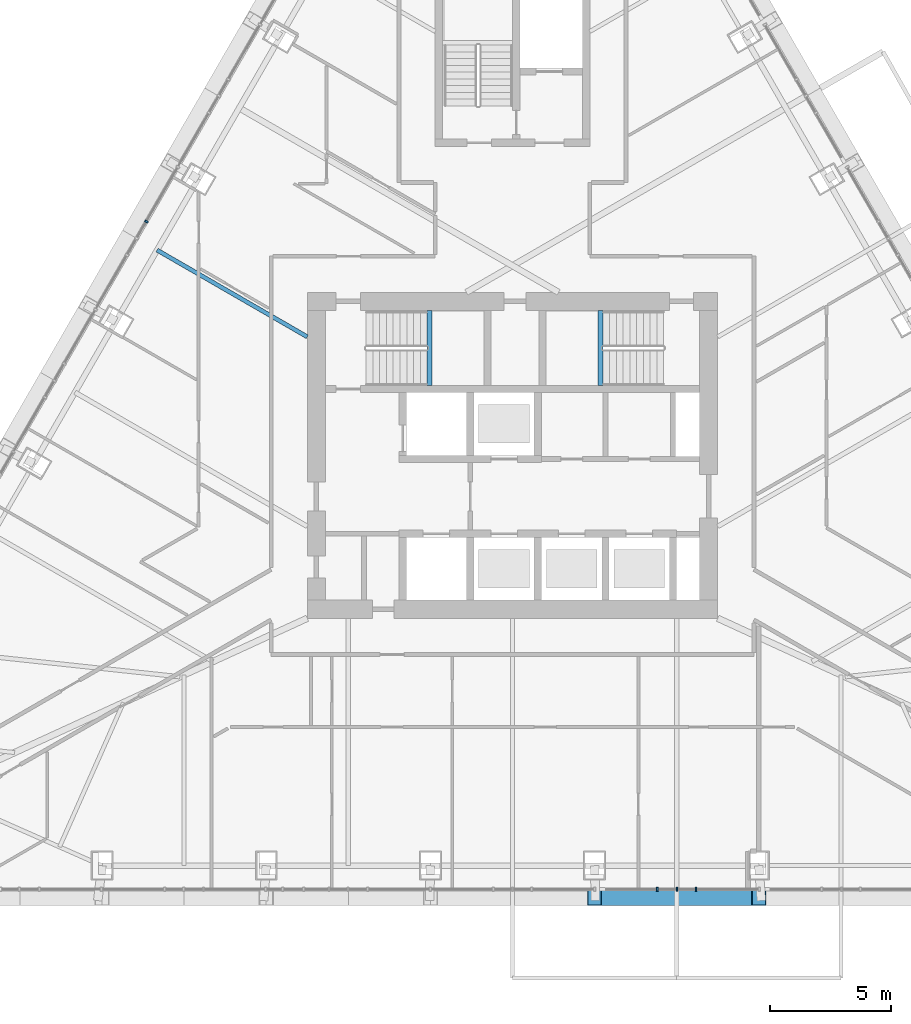
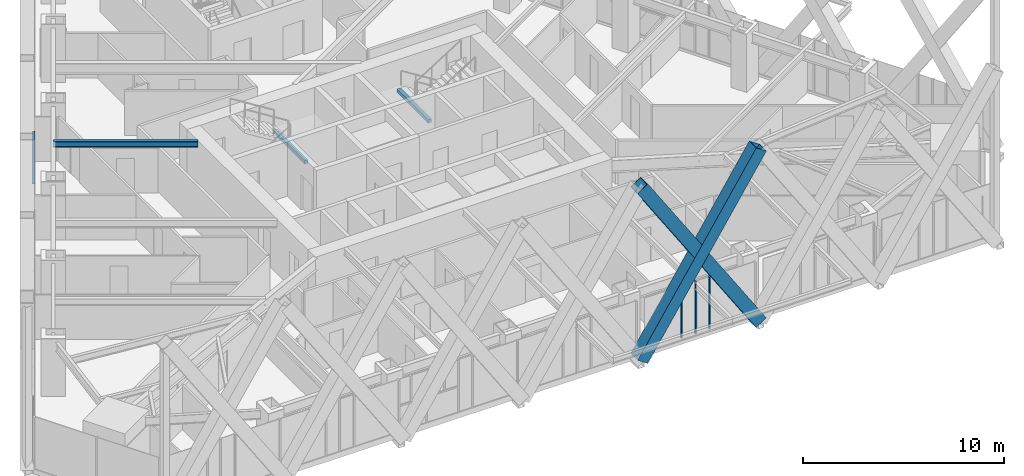
# One storey, part 7 of 24: 6 members, 3 beams, 2 elements without a shape of their own.
"""IFC4 building model written with IfcOpenShell, lengths in metres."""

from ifc_helpers import new_model, si_unit, direction, frame, origin, origin_2d, place, context, subcontext, project, spatial, rectangle, hollow_rectangle, i_section, extrude, material, layer, layer_set, material_profile, profile_set, type_object, element, aggregate, save


model = new_model("IFC4")

# Units and contexts
model_context = context("Model", 3, precision=1e-05, world=origin(), true_north=direction((0.0, 1.0)))
body_context = subcontext(model_context, "Body", "Model", "MODEL_VIEW")
ifc_project = project(units=[si_unit("LENGTHUNIT", "METRE"), si_unit("AREAUNIT", "SQUARE_METRE"), si_unit("VOLUMEUNIT", "CUBIC_METRE"), si_unit("PLANEANGLEUNIT", "RADIAN"), si_unit("MASSUNIT", "GRAM", prefix="KILO")], contexts=[model_context])

# Site, building, storey
site_placement = place(None, origin())
site = spatial("IfcSite", under=ifc_project, at=site_placement, CompositionType="ELEMENT")
building_placement = place(site_placement, origin())
building = spatial("IfcBuilding", under=site, at=building_placement, Name="Firuza Gate Tower and Library", CompositionType="ELEMENT")
storey_placement = place(building_placement, frame((0.0, 0.0, 260.10009765625)))
storey = spatial("IfcBuildingStorey", under=building, at=storey_placement, Name="L61", CompositionType="ELEMENT", Elevation=260.10009765625)

# Members
ifc_material_1 = material(Name="Steel S355", Category="steel")
ifc_material_profile_1 = material_profile(ifc_material_1, hollow_rectangle(XDim=0.699951171875, YDim=0.699951171875, WallThickness=0.030029296875, at=origin_2d()))
ifc_profile_set_1 = profile_set([ifc_material_profile_1], Name="Steel S355")
member_type_1 = type_object("IfcMemberType", Name="BU700x700x30 Lattice brace", PredefinedType="BRACE", material=ifc_profile_set_1)
for number, where, z_axis, x_axis, name in (
    (1, (78.39990234375, 56.7021484375, 0.0), (0.543585438584, 0.0, 0.839353841332), (0.0, 1.0, 0.0), "Lattice brace S 15.5R"),
    (2, (85.199951171875, 56.7021484375, 0.0), (-0.543585438584, 0.0, 0.839353841332), (0.0, -1.0, 0.0), "Lattice brace S 15.5L"),
):
    element("IfcMember", number, at=place(storey_placement, frame(where, z_axis=z_axis, x_axis=x_axis)), inside=storey, type_object=member_type_1, Name=name, PredefinedType="BRACE", context=body_context, shape_type="SweptSolid", body=[
        extrude(hollow_rectangle(XDim=0.699951171875, YDim=0.699951171875, WallThickness=0.030029296875, at=origin_2d()), origin(), (0.0, 0.0, 1.0), 12.509521484375),
    ])

# Curtain wall, members
ifc_material_2 = material(Name="Aluminium 6063-T6", Category="aluminium")
ifc_layer = layer(ifc_material_2, 0.14990234375)
ifc_layer_set = layer_set([ifc_layer], Name="Unitised curtain wall, residences")
curtain_wall_type = type_object("IfcCurtainWallType", Name="Unitised curtain wall, residences", PredefinedType="NOTDEFINED", material=ifc_layer_set)
placement = place(storey_placement, origin())
curtain_wall_1 = element("IfcCurtainWall", 3, at=placement, inside=storey, type_object=curtain_wall_type, Name="CW3 L61 S face", PredefinedType="NOTDEFINED")
ifc_material_3 = material(Name="Aluminium 6063-T6", Category="aluminium")
ifc_material_profile_2 = material_profile(ifc_material_3, rectangle(XDim=0.14990234375, YDim=0.080078125, at=origin_2d()))
ifc_profile_set_2 = profile_set([ifc_material_profile_2], Name="Aluminium 6063-T6")
member_type_2 = type_object("IfcMemberType", Name="Curtain wall mullion 80x150", PredefinedType="MULLION", material=ifc_profile_set_2)
member_1_placement = place(storey_placement, frame((81.812255859375, 57.027099609375, 0.14990234375), z_axis=(0.0, 0.0, 1.0), x_axis=(0.0, 1.0, 0.0)))
member_1 = element("IfcMember", 4, at=member_1_placement, type_object=member_type_2, Name="Mullion", PredefinedType="MULLION", context=body_context, shape_type="SweptSolid", body=[
    extrude(rectangle(XDim=0.14990234375, YDim=0.080078125, at=origin_2d()), origin(), (0.0, 0.0, 1.0), 3.14990234375),
])
member_2_placement = place(storey_placement, frame((80.9990234375, 57.027099609375, 0.14990234375), z_axis=(0.0, 0.0, 1.0), x_axis=(0.0, 1.0, 0.0)))
member_2 = element("IfcMember", 5, at=member_2_placement, type_object=member_type_2, Name="Mullion", PredefinedType="MULLION", context=body_context, shape_type="SweptSolid", body=[
    extrude(rectangle(XDim=0.14990234375, YDim=0.080078125, at=origin_2d()), origin(), (0.0, 0.0, 1.0), 3.14990234375),
])
member_3_placement = place(storey_placement, frame((82.600830078125, 57.027099609375, 0.14990234375), z_axis=(0.0, 0.0, 1.0), x_axis=(0.0, 1.0, 0.0)))
member_3 = element("IfcMember", 6, at=member_3_placement, type_object=member_type_2, Name="Mullion", PredefinedType="MULLION", context=body_context, shape_type="SweptSolid", body=[
    extrude(rectangle(XDim=0.14990234375, YDim=0.080078125, at=origin_2d()), origin(), (0.0, 0.0, 1.0), 3.14990234375),
])
aggregate(curtain_wall_1, [member_1, member_2, member_3])

# Curtain wall, member
curtain_wall_2 = element("IfcCurtainWall", 7, at=placement, inside=storey, type_object=curtain_wall_type, Name="CW3 L61 W face", PredefinedType="NOTDEFINED")
member_4_placement = place(storey_placement, frame((59.83544921875, 84.679931640625, 0.14990234375), z_axis=(0.0, 0.0, 1.0), x_axis=(0.866025403784, -0.5, 0.0)))
member_4 = element("IfcMember", 8, at=member_4_placement, type_object=member_type_2, Name="Mullion", PredefinedType="MULLION", context=body_context, shape_type="SweptSolid", body=[
    extrude(rectangle(XDim=0.14990234375, YDim=0.080078125, at=origin_2d()), origin(), (0.0, 0.0, 1.0), 3.14990234375),
])
aggregate(curtain_wall_2, [member_4])

# Beams
ifc_material_4 = material(Name="Concrete C35/45", Category="concrete")
ifc_material_profile_3 = material_profile(ifc_material_4, rectangle(XDim=0.199951171875, YDim=0.199951171875, at=origin_2d()))
ifc_profile_set_3 = profile_set([ifc_material_profile_3], Name="Concrete C35/45")
beam_type_1 = type_object("IfcBeamType", Name="Stair landing bearer 200x200", PredefinedType="BEAM", material=ifc_profile_set_3)
for number, where, z_axis, x_axis, name in (
    (9, (71.56005859375, 77.89990234375, 1.449951171875), (0.0, 1.0, 0.0), (-1.0, 0.0, 0.0), "Landing bearer L61 stair 1"),
    (10, (78.639892578125, 81.0, 1.449951171875), (0.0, -1.0, 0.0), (1.0, 0.0, 0.0), "Landing bearer L61 stair 2"),
):
    element("IfcBeam", number, at=place(storey_placement, frame(where, z_axis=z_axis, x_axis=x_axis)), inside=storey, type_object=beam_type_1, Name=name, PredefinedType="BEAM", context=body_context, shape_type="SweptSolid", body=[
        extrude(rectangle(XDim=0.199951171875, YDim=0.199951171875, at=origin_2d()), origin(), (0.0, 0.0, 1.0), 3.10009765625),
    ])
ifc_material_5 = material(Name="Steel S355", Category="steel")
ifc_material_profile_4 = material_profile(ifc_material_5, i_section(OverallWidth=0.1708984375, OverallDepth=0.35498046875, WebThickness=0.007080078125, FlangeThickness=0.01171875, at=origin_2d()))
ifc_profile_set_4 = profile_set([ifc_material_profile_4], Name="Steel S355")
beam_type_2 = type_object("IfcBeamType", Name="W360x51 Floor beam", PredefinedType="JOIST", material=ifc_profile_set_4)
beam_placement = place(storey_placement, frame((60.279541015625, 83.4990234375, 3.122314453125), z_axis=(0.866015211635, -0.500017652905, 0.0), x_axis=(0.500017652905, 0.866015211635, 0.0)))
element("IfcBeam", 11, at=beam_placement, inside=storey, type_object=beam_type_2, Name="Floor beam L61 s82", PredefinedType="JOIST", context=body_context, shape_type="SweptSolid", body=[
    extrude(i_section(OverallWidth=0.1708984375, OverallDepth=0.35498046875, WebThickness=0.007080078125, FlangeThickness=0.01171875, at=origin_2d()), origin(), (0.0, 0.0, 1.0), 7.182861328125),
])

save(model, "model.ifc")
